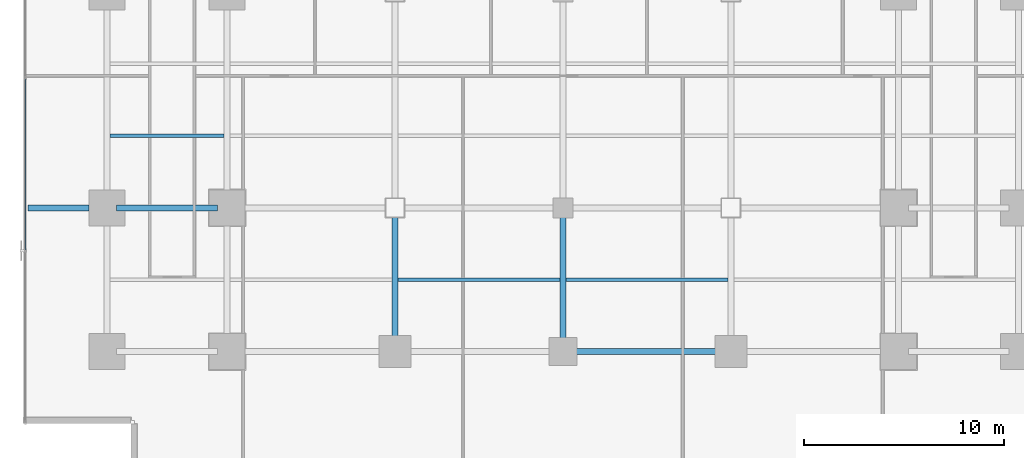
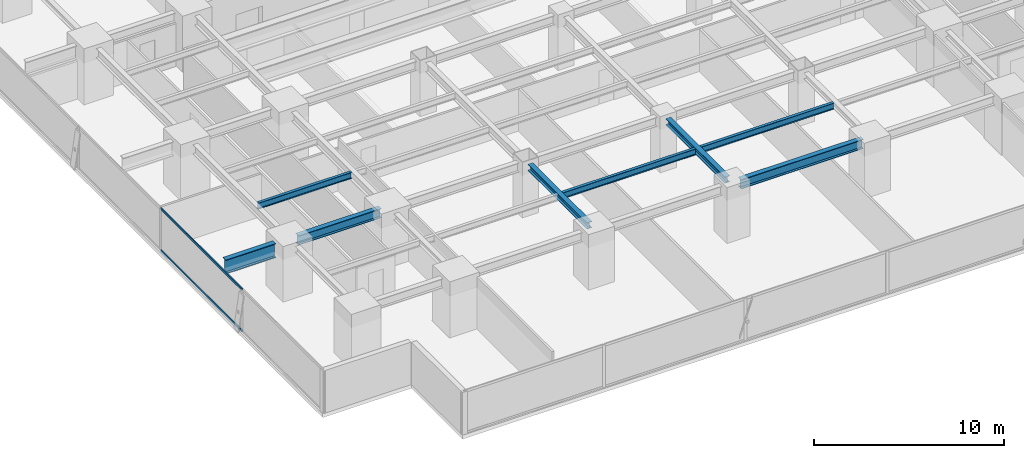
# One storey, part 6 of 33: 8 beams, 2 members, 1 element without a shape of its own.
"""IFC4 building model written with IfcOpenShell, lengths in metres."""

from ifc_helpers import new_model, si_unit, direction, frame, origin, origin_2d, place, context, subcontext, project, spatial, hollow_rectangle, i_section, extrude, source, transform, mapped, material, layer, layer_set, material_profile, profile_set, type_object, element, aggregate, save


model = new_model("IFC4")

# Units and contexts
model_context = context("Model", 3, precision=1e-05, world=origin(), true_north=direction((0.0, 1.0)))
body_context = subcontext(model_context, "Body", "Model", "MODEL_VIEW")
ifc_project = project(units=[si_unit("LENGTHUNIT", "METRE"), si_unit("AREAUNIT", "SQUARE_METRE"), si_unit("VOLUMEUNIT", "CUBIC_METRE"), si_unit("PLANEANGLEUNIT", "RADIAN"), si_unit("MASSUNIT", "GRAM", prefix="KILO")], contexts=[model_context])

# Site, building, storey
site_placement = place(None, origin())
site = spatial("IfcSite", under=ifc_project, at=site_placement, CompositionType="ELEMENT")
building_placement = place(site_placement, origin())
building = spatial("IfcBuilding", under=site, at=building_placement, Name="Sumidabori Civic Tower", CompositionType="ELEMENT")
storey_placement = place(building_placement, frame((0.0, 0.0, 27.199951171875)))
storey = spatial("IfcBuildingStorey", under=building, at=storey_placement, Name="L06", CompositionType="ELEMENT", Elevation=27.199951171875)

# Beams
ifc_material_1 = material(Name="Steel SN490", Category="steel")
ifc_material_profile_1 = material_profile(ifc_material_1, i_section(OverallWidth=0.300048828125, OverallDepth=0.60009765625, WebThickness=0.015380859375, FlangeThickness=0.030029296875, at=origin_2d()), Name="HE 600 B")
ifc_profile_set_1 = profile_set([ifc_material_profile_1], Name="Steel SN490")
beam_type_1 = type_object("IfcBeamType", Name="BM-GIRD-600", PredefinedType="BEAM", material=ifc_profile_set_1)
shared_shape_1 = source(origin(), body_context, "Body", "SweptSolid", [
    extrude(i_section(OverallWidth=0.300048828125, OverallDepth=0.60009765625, WebThickness=0.015380859375, FlangeThickness=0.030029296875, at=origin_2d()), origin(), (0.0, 0.0, 1.0), 5.0400390625),
])
beam_1_placement = place(storey_placement, frame((-22.320068359375, -10.800048828125, 3.06005859375), z_axis=(1.0, 0.0, 0.0), x_axis=(0.0, 1.0, 0.0)))
element("IfcBeam", 1, at=beam_1_placement, inside=storey, type_object=beam_type_1, Name="Primary Girder L06 GX-07", PredefinedType="BEAM", context=body_context, shape_type="MappedRepresentation", body=[
    mapped(shared_shape_1, transform((0.0, 0.0, 0.0), x_axis=(1.0, 0.0, 0.0), y_axis=(0.0, 1.0, 0.0), z_axis=(0.0, 0.0, 1.0), scale=1.0)),
])
shared_shape_2 = source(origin(), body_context, "Body", "SweptSolid", [
    extrude(i_section(OverallWidth=0.300048828125, OverallDepth=0.60009765625, WebThickness=0.015380859375, FlangeThickness=0.030029296875, at=origin_2d()), origin(), (0.0, 0.0, 1.0), 7.43994140625),
])
beam_2_placement = place(storey_placement, frame((0.47998046875, -18.0, 3.06005859375), z_axis=(1.0, 0.0, 0.0), x_axis=(0.0, 1.0, 0.0)))
element("IfcBeam", 2, at=beam_2_placement, inside=storey, type_object=beam_type_1, Name="Primary Girder L06 GX-04", PredefinedType="BEAM", context=body_context, shape_type="MappedRepresentation", body=[
    mapped(shared_shape_2, transform((0.0, 0.0, 0.0), x_axis=(1.0, 0.0, 0.0), y_axis=(0.0, 1.0, 0.0), z_axis=(0.0, 0.0, 1.0), scale=1.0)),
])
ifc_material_profile_2 = material_profile(ifc_material_1, i_section(OverallWidth=0.300048828125, OverallDepth=0.39990234375, WebThickness=0.013427734375, FlangeThickness=0.02392578125, at=origin_2d()), Name="HE 400 B")
ifc_profile_set_2 = profile_set([ifc_material_profile_2], Name="Steel SN490")
beam_type_2 = type_object("IfcBeamType", Name="BM-GIRD-400", PredefinedType="BEAM", material=ifc_profile_set_2)
shared_shape_3 = source(origin(), body_context, "Body", "SweptSolid", [
    extrude(i_section(OverallWidth=0.300048828125, OverallDepth=0.39990234375, WebThickness=0.013427734375, FlangeThickness=0.02392578125, at=origin_2d()), origin(), (0.0, 0.0, 1.0), 6.239990234375),
])
for number, where, z_axis, x_axis, name in (
    (3, (-8.39990234375, -17.52001953125, 3.16015625), (0.0, 1.0, 0.0), (-1.0, 0.0, 0.0), "Primary Girder L06 GY-29"),
    (4, (0.0, -17.52001953125, 3.16015625), (0.0, 1.0, 0.0), (-1.0, 0.0, 0.0), "Primary Girder L06 GY-31"),
):
    element("IfcBeam", number, at=place(storey_placement, frame(where, z_axis=z_axis, x_axis=x_axis)), inside=storey, type_object=beam_type_2, Name=name, PredefinedType="BEAM", context=body_context, shape_type="MappedRepresentation", body=[
        mapped(shared_shape_3, transform((0.0, 0.0, 0.0), x_axis=(1.0, 0.0, 0.0), y_axis=(0.0, 1.0, 0.0), z_axis=(0.0, 0.0, 1.0), scale=1.0)),
    ])
ifc_material_profile_3 = material_profile(ifc_material_1, i_section(OverallWidth=0.302001953125, OverallDepth=0.909912109375, WebThickness=0.02099609375, FlangeThickness=0.0400390625, at=origin_2d()), Name="HE 900 M")
ifc_profile_set_3 = profile_set([ifc_material_profile_3], Name="Steel SN490")
beam_type_3 = type_object("IfcBeamType", Name="BM-Z1-EDGE", PredefinedType="SPANDREL", material=ifc_profile_set_3)
shared_shape_4 = source(origin(), body_context, "Body", "SweptSolid", [
    extrude(i_section(OverallWidth=0.302001953125, OverallDepth=0.909912109375, WebThickness=0.02099609375, FlangeThickness=0.0400390625, at=origin_2d()), origin(), (0.0, 0.0, 1.0), 3.050048828125),
])
beam_3_placement = place(storey_placement, frame((-26.75, -10.800048828125, 2.905029296875), z_axis=(1.0, 0.0, 0.0), x_axis=(0.0, 1.0, 0.0)))
element("IfcBeam", 5, at=beam_3_placement, inside=storey, type_object=beam_type_3, Name="Perimeter Overhang Beam L06 W-44", PredefinedType="SPANDREL", context=body_context, shape_type="MappedRepresentation", body=[
    mapped(shared_shape_4, transform((0.0, 0.0, 0.0), x_axis=(1.0, 0.0, 0.0), y_axis=(0.0, 1.0, 0.0), z_axis=(0.0, 0.0, 1.0), scale=1.0)),
])
ifc_material_profile_4 = material_profile(ifc_material_1, i_section(OverallWidth=0.179931640625, OverallDepth=0.39990234375, WebThickness=0.008544921875, FlangeThickness=0.013427734375, at=origin_2d()), Name="IPE 400")
ifc_profile_set_4 = profile_set([ifc_material_profile_4], Name="Steel SN490")
beam_type_4 = type_object("IfcBeamType", Name="BM-JST-400", PredefinedType="JOIST", material=ifc_profile_set_4)
shared_shape_5 = source(origin(), body_context, "Body", "SweptSolid", [
    extrude(i_section(OverallWidth=0.179931640625, OverallDepth=0.39990234375, WebThickness=0.008544921875, FlangeThickness=0.013427734375, at=origin_2d()), origin(), (0.0, 0.0, 1.0), 5.699951171875),
])
beam_4_placement = place(storey_placement, frame((-22.64990234375, -7.199951171875, 3.16015625), z_axis=(1.0, 0.0, 0.0), x_axis=(0.0, 1.0, 0.0)))
element("IfcBeam", 6, at=beam_4_placement, inside=storey, type_object=beam_type_4, Name="Outer Bay Floor Joist L06 JSTO-49", PredefinedType="JOIST", context=body_context, shape_type="MappedRepresentation", body=[
    mapped(shared_shape_5, transform((0.0, 0.0, 0.0), x_axis=(1.0, 0.0, 0.0), y_axis=(0.0, 1.0, 0.0), z_axis=(0.0, 0.0, 1.0), scale=1.0)),
])
shared_shape_6 = source(origin(), body_context, "Body", "SweptSolid", [
    extrude(i_section(OverallWidth=0.179931640625, OverallDepth=0.39990234375, WebThickness=0.008544921875, FlangeThickness=0.013427734375, at=origin_2d()), origin(), (0.0, 0.0, 1.0), 8.10009765625),
])
for number, where, z_axis, x_axis, name in (
    (7, (-8.25, -14.39990234375, 3.16015625), (1.0, 0.0, 0.0), (0.0, 1.0, 0.0), "South Bay Floor Joist L06 JSTS-62"),
    (8, (0.14990234375, -14.39990234375, 3.16015625), (1.0, 0.0, 0.0), (0.0, 1.0, 0.0), "South Bay Floor Joist L06 JSTS-63"),
):
    element("IfcBeam", number, at=place(storey_placement, frame(where, z_axis=z_axis, x_axis=x_axis)), inside=storey, type_object=beam_type_4, Name=name, PredefinedType="JOIST", context=body_context, shape_type="MappedRepresentation", body=[
        mapped(shared_shape_6, transform((0.0, 0.0, 0.0), x_axis=(1.0, 0.0, 0.0), y_axis=(0.0, 1.0, 0.0), z_axis=(0.0, 0.0, 1.0), scale=1.0)),
    ])

# Curtain wall, members
ifc_material_2 = material(Name="Anodised Bronze Aluminium AW-6063-T6", Category="aluminium")
ifc_layer = layer(ifc_material_2, 0.179931640625, Name="Anodised Bronze Aluminium AW-6063-T6")
ifc_layer_set = layer_set([ifc_layer], Name="Anodised Bronze Aluminium AW-6063-T6")
curtain_wall_type = type_object("IfcCurtainWallType", Name="CW-SYS-2", PredefinedType="NOTDEFINED", material=ifc_layer_set)
curtain_wall_placement = place(storey_placement, origin())
curtain_wall = element("IfcCurtainWall", 9, at=curtain_wall_placement, inside=storey, type_object=curtain_wall_type, Name="Curtain Wall CW:L06:R10", PredefinedType="NOTDEFINED")
ifc_material_profile_5 = material_profile(ifc_material_2, hollow_rectangle(XDim=0.06494140625, YDim=0.14990234375, WallThickness=0.0048828125, at=origin_2d()), Name="ALU TRANSOM 150x65")
ifc_profile_set_5 = profile_set([ifc_material_profile_5], Name="Anodised Bronze Aluminium AW-6063-T6")
member_type = type_object("IfcMemberType", Name="CW-TRN-150", PredefinedType="USERDEFINED", material=ifc_profile_set_5)
shared_shape_7 = source(origin(), body_context, "Body", "SweptSolid", [
    extrude(hollow_rectangle(XDim=0.06494140625, YDim=0.14990234375, WallThickness=0.0048828125, at=origin_2d()), origin(), (0.0, 0.0, 1.0), 8.557861328125),
])
member_1_placement = place(storey_placement, frame((-26.8798828125, -4.34912109375, 0.032470703125), z_axis=(0.0, -1.0, 0.0), x_axis=(1.0, 0.0, 0.0)))
member_1 = element("IfcMember", 10, at=member_1_placement, type_object=member_type, Name="CW-2 transom 4.1", ObjectType="TRANSOM", PredefinedType="USERDEFINED", context=body_context, shape_type="MappedRepresentation", body=[
    mapped(shared_shape_7, transform((0.0, 0.0, 0.0), x_axis=(1.0, 0.0, 0.0), y_axis=(0.0, 1.0, 0.0), z_axis=(0.0, 0.0, 1.0), scale=1.0)),
])
member_2_placement = place(storey_placement, frame((-26.8798828125, -4.34912109375, 2.70751953125), z_axis=(0.0, -1.0, 0.0), x_axis=(1.0, 0.0, 0.0)))
member_2 = element("IfcMember", 11, at=member_2_placement, type_object=member_type, Name="CW-2 transom 4.2", ObjectType="TRANSOM", PredefinedType="USERDEFINED", context=body_context, shape_type="MappedRepresentation", body=[
    mapped(shared_shape_7, transform((0.0, 0.0, 0.0), x_axis=(1.0, 0.0, 0.0), y_axis=(0.0, 1.0, 0.0), z_axis=(0.0, 0.0, 1.0), scale=1.0)),
])
aggregate(curtain_wall, [member_1, member_2])

save(model, "model.ifc")
